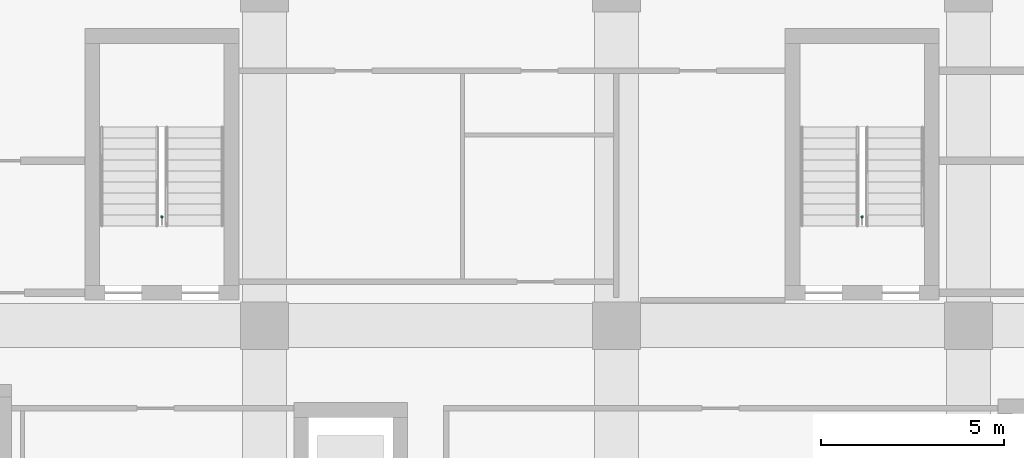
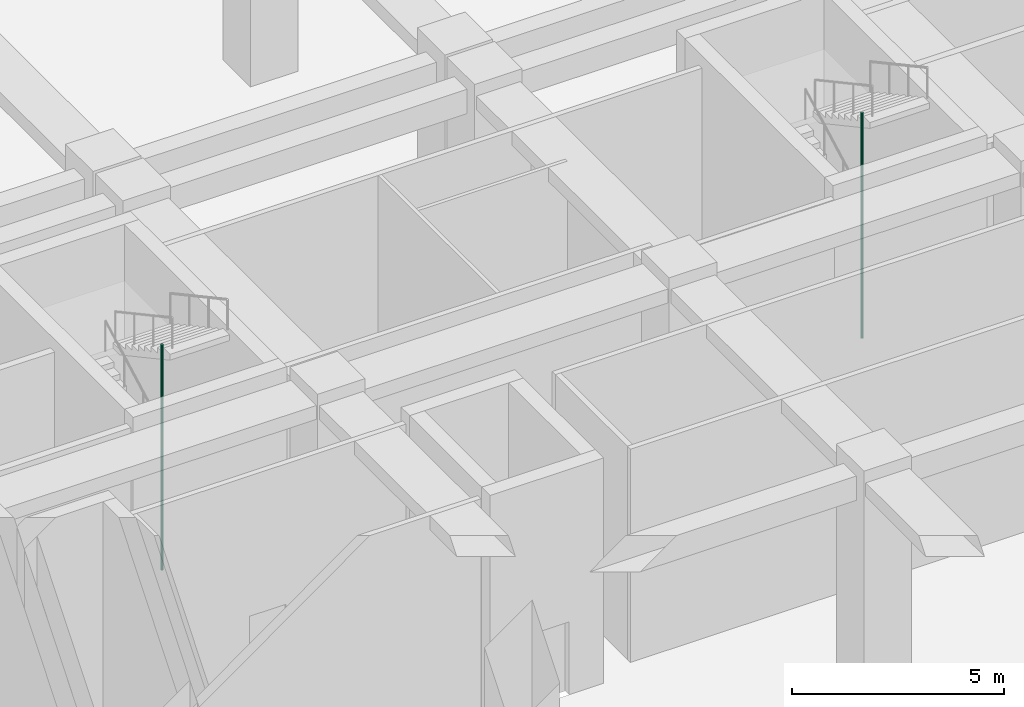
# One storey, part 34 of 45: 2 pipe segments.
"""IFC4 building model written with IfcOpenShell, lengths in metres."""

from ifc_helpers import new_model, si_unit, direction, frame, origin, origin_2d, place, context, subcontext, project, spatial, circle, extrude, element, save


model = new_model("IFC4")

# Units and contexts
model_context = context("Model", 3, precision=1e-05, world=origin(), true_north=direction((0.0, 1.0)))
body_context = subcontext(model_context, "Body", "Model", "MODEL_VIEW")
ifc_project = project(units=[si_unit("LENGTHUNIT", "METRE"), si_unit("AREAUNIT", "SQUARE_METRE"), si_unit("VOLUMEUNIT", "CUBIC_METRE"), si_unit("PLANEANGLEUNIT", "RADIAN"), si_unit("MASSUNIT", "GRAM", prefix="KILO")], contexts=[model_context])

# Site, building, storey
site_placement = place(None, origin())
site = spatial("IfcSite", under=ifc_project, at=site_placement, CompositionType="ELEMENT")
building_placement = place(site_placement, origin())
building = spatial("IfcBuilding", under=site, at=building_placement, Name="Nzadi Deep Aquarium and Research Tower", CompositionType="ELEMENT")
storey_placement = place(building_placement, origin())
storey = spatial("IfcBuildingStorey", under=building, at=storey_placement, Name="G", CompositionType="ELEMENT", Elevation=0.0)

# Pipe segments
for number, where, z_axis, x_axis, name in (
    (1, (6.800048828125, 39.77001953125, 0.0), (0.0, 0.0, 1.0), (1.0, 0.0, 0.0), "Dry riser ST-Z1-NW G"),
    (2, (25.89990234375, 39.77001953125, 0.0), (0.0, 0.0, 1.0), (1.0, 0.0, 0.0), "Dry riser ST-Z1-NE G"),
):
    element("IfcPipeSegment", number, at=place(storey_placement, frame(where, z_axis=z_axis, x_axis=x_axis)), inside=storey, Name=name, PredefinedType="RIGIDSEGMENT", context=body_context, shape_type="SweptSolid", body=[
        extrude(circle(Radius=0.034912109375, at=origin_2d()), origin(), (0.0, 0.0, 1.0), 6.5),
    ])

save(model, "model.ifc")
